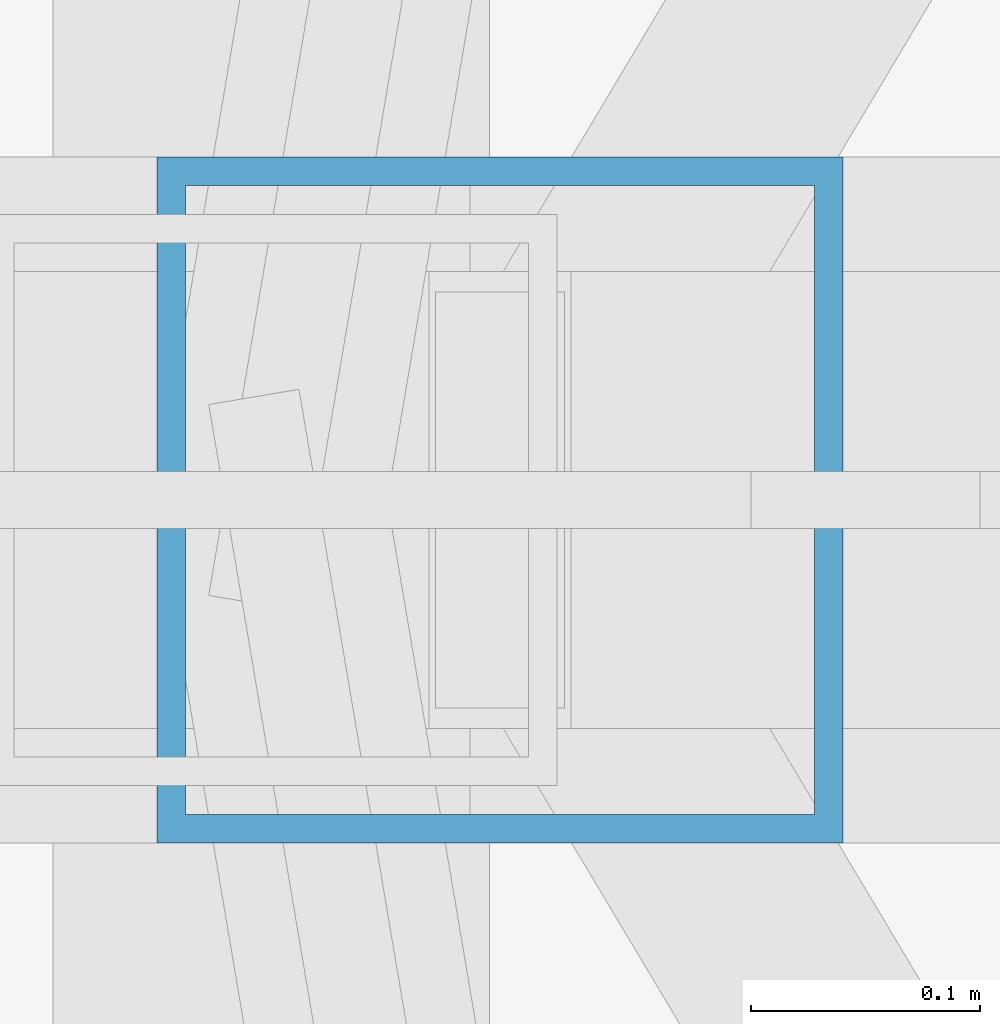
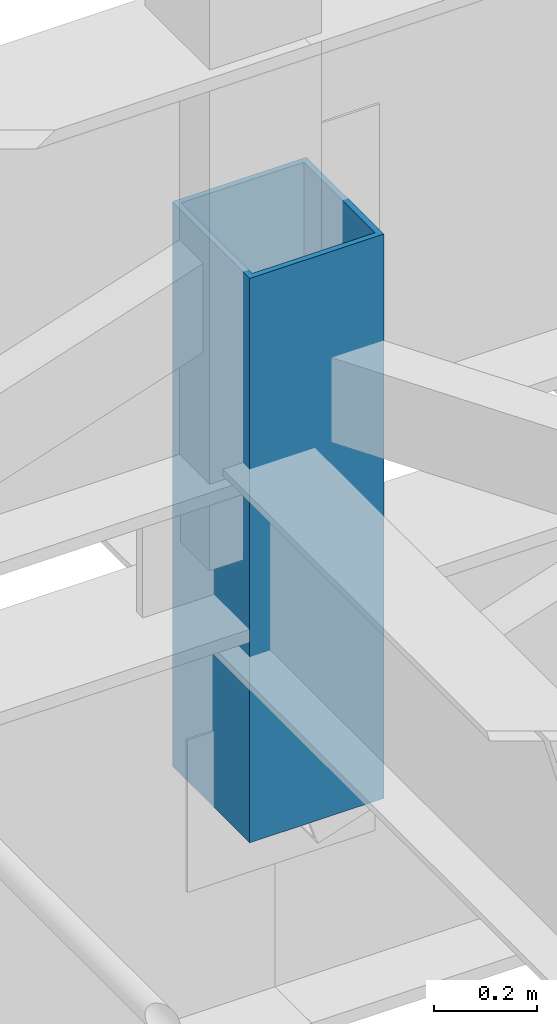
# One storey, part 27 of 184: 1 member.
"""IFC4 building model written with IfcOpenShell, lengths in metres."""

from ifc_helpers import new_model, si_unit, direction, frame, origin, origin_2d, place, context, subcontext, project, spatial, hollow_rectangle, extrude, material, material_profile, profile_set, type_object, element, save


model = new_model("IFC4")

# Units and contexts
model_context = context("Model", 3, precision=1e-05, world=origin(), true_north=direction((0.0, 1.0)))
body_context = subcontext(model_context, "Body", "Model", "MODEL_VIEW")
ifc_project = project(units=[si_unit("LENGTHUNIT", "METRE"), si_unit("AREAUNIT", "SQUARE_METRE"), si_unit("VOLUMEUNIT", "CUBIC_METRE"), si_unit("PLANEANGLEUNIT", "RADIAN"), si_unit("MASSUNIT", "GRAM", prefix="KILO")], contexts=[model_context])

# Site, building, storey
site_placement = place(None, origin())
site = spatial("IfcSite", under=ifc_project, at=site_placement, CompositionType="ELEMENT")
building_placement = place(site_placement, origin())
building = spatial("IfcBuilding", under=site, at=building_placement, Name="Kalgoora Escarpment Arena", CompositionType="ELEMENT")
storey_placement = place(building_placement, frame((0.0, 0.0, 27.60009765625)))
storey = spatial("IfcBuildingStorey", under=building, at=storey_placement, Name="Roof Level", CompositionType="ELEMENT", Elevation=27.60009765625)

# Member
ifc_material = material(Name="Structural steel C450 (450 MPa)", Category="steel")
ifc_material_profile = material_profile(ifc_material, hollow_rectangle(XDim=0.300048828125, YDim=0.300048828125, WallThickness=0.012451171875, at=origin_2d()))
ifc_profile_set = profile_set([ifc_material_profile], Name="Structural steel C450 (450 MPa)")
member_type = type_object("IfcMemberType", Name="MEM-TRUSS-POST", PredefinedType="POST", material=ifc_profile_set)
member_placement = place(storey_placement, frame((76.5, 64.0, -1.614990234375), z_axis=(0.0, 0.0, 1.0), x_axis=(1.0, 0.0, 0.0)))
element("IfcMember", 1, at=member_placement, inside=storey, type_object=member_type, Name="Radial ROOF TRUSS spine 5 post 8", PredefinedType="POST", context=body_context, shape_type="SweptSolid", body=[
    extrude(hollow_rectangle(XDim=0.300048828125, YDim=0.300048828125, WallThickness=0.012451171875, at=origin_2d()), origin(), (0.0, 0.0, 1.0), 1.3349609375),
])

save(model, "model.ifc")
